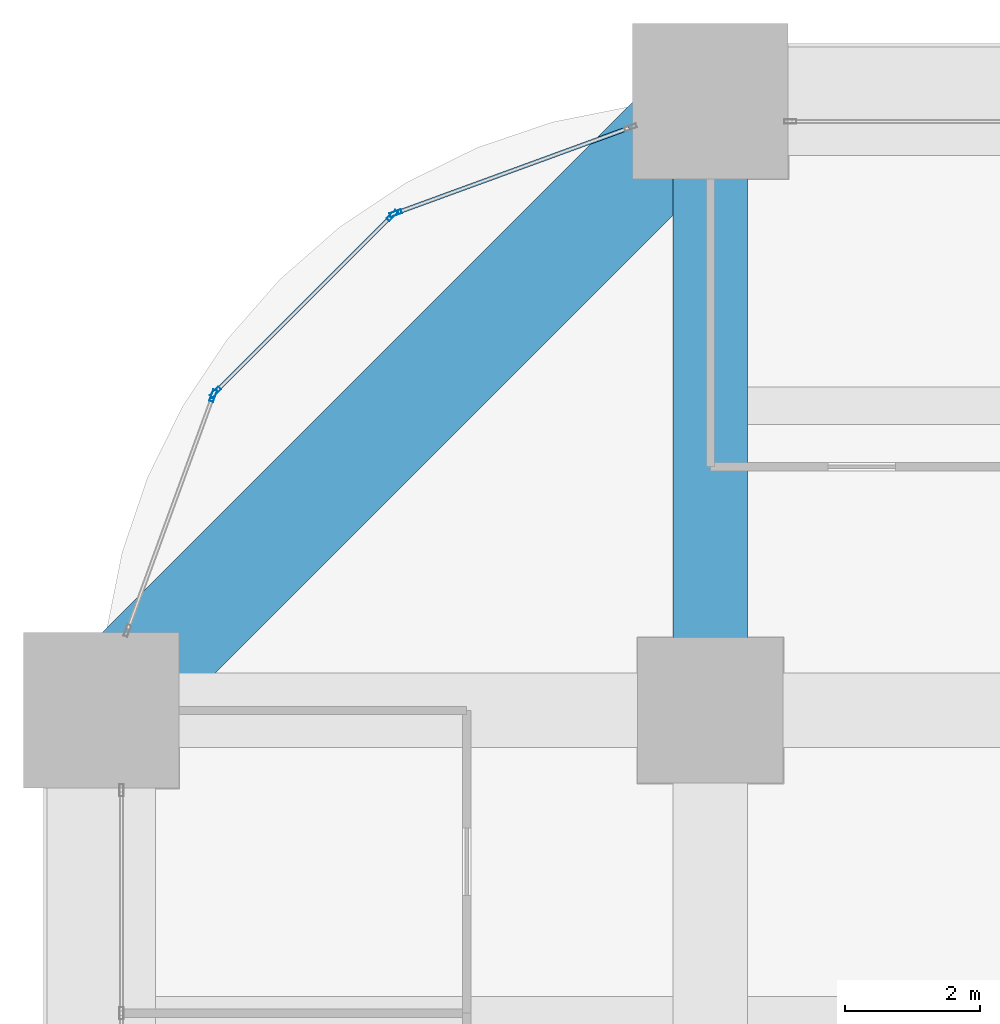
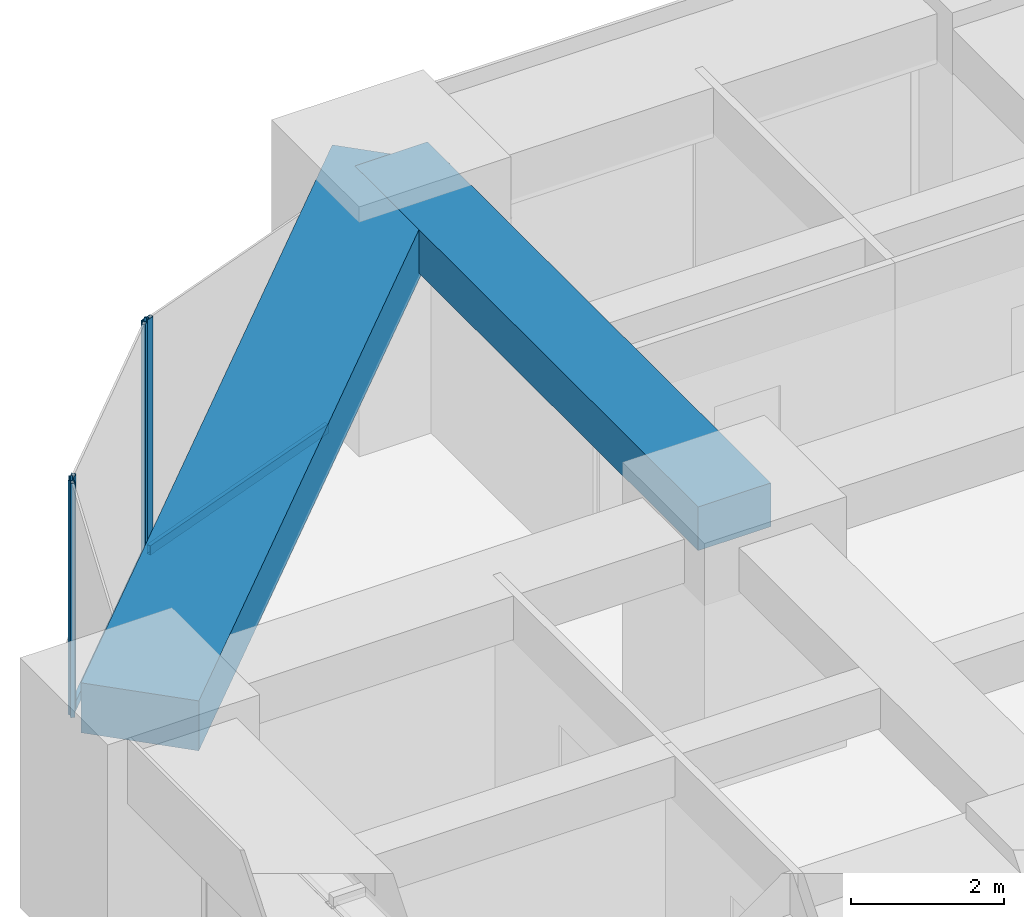
# One storey, part 27 of 45: 6 members, 2 beams, 3 elements without a shape of their own.
"""IFC4 building model written with IfcOpenShell, lengths in metres."""

from ifc_helpers import new_model, si_unit, direction, frame, origin, origin_2d, place, context, subcontext, project, spatial, rectangle, hollow_rectangle, extrude, material, material_profile, profile_set, type_object, element, aggregate, save


model = new_model("IFC4")

# Units and contexts
model_context = context("Model", 3, precision=1e-05, world=origin(), true_north=direction((0.0, 1.0)))
body_context = subcontext(model_context, "Body", "Model", "MODEL_VIEW")
ifc_project = project(units=[si_unit("LENGTHUNIT", "METRE"), si_unit("AREAUNIT", "SQUARE_METRE"), si_unit("VOLUMEUNIT", "CUBIC_METRE"), si_unit("PLANEANGLEUNIT", "RADIAN"), si_unit("MASSUNIT", "GRAM", prefix="KILO")], contexts=[model_context])

# Site, building, storey
site_placement = place(None, origin())
site = spatial("IfcSite", under=ifc_project, at=site_placement, CompositionType="ELEMENT")
building_placement = place(site_placement, origin())
building = spatial("IfcBuilding", under=site, at=building_placement, Name="Zorevar Civic Tower", CompositionType="ELEMENT")
storey_placement = place(building_placement, frame((0.0, 0.0, 71.800048828125)))
storey = spatial("IfcBuildingStorey", under=building, at=storey_placement, Name="L17", CompositionType="ELEMENT", Elevation=71.800048828125)

# Beam
ifc_material_1 = material(Name="Concrete C50/60", Category="concrete")
ifc_material_profile_1 = material_profile(ifc_material_1, rectangle(XDim=1.10009765625, YDim=0.699951171875, at=origin_2d()), Name="RC 1100x700")
ifc_profile_set_1 = profile_set([ifc_material_profile_1], Name="Concrete C50/60")
beam_type_1 = type_object("IfcBeamType", Name="Beam RC 1100x700", PredefinedType="BEAM", material=ifc_profile_set_1)
beam_1_placement = place(storey_placement, frame((9.0, 45.0, 3.39990234375), z_axis=(0.0, 1.0, 0.0), x_axis=(-1.0, 0.0, 0.0)))
element("IfcBeam", 1, at=beam_1_placement, inside=storey, type_object=beam_type_1, Name="Girder L18", PredefinedType="BEAM", context=body_context, shape_type="SweptSolid", body=[
    extrude(rectangle(XDim=1.10009765625, YDim=0.699951171875, at=origin_2d()), origin(), (0.0, 0.0, 1.0), 9.0),
])

# Curtain wall, member
ifc_material_2 = material(Name="Dark grey solar-control glass in black aluminium frame", Category="aluminium")
curtain_wall_type = type_object("IfcCurtainWallType", Name="Curtain wall CW2 low zone", PredefinedType="NOTDEFINED", material=ifc_material_2)
curtain_wall_1_placement = place(storey_placement, origin())
curtain_wall_1 = element("IfcCurtainWall", 2, at=curtain_wall_1_placement, inside=storey, type_object=curtain_wall_type, Name="CW2 L17", PredefinedType="NOTDEFINED")
ifc_material_3 = material(Name="Aluminium, black anodised", Category="aluminium")
ifc_material_profile_2 = material_profile(ifc_material_3, hollow_rectangle(XDim=0.06005859375, YDim=0.179931640625, WallThickness=0.00390625, at=origin_2d()), Name="AL 180x60x4")
ifc_profile_set_2 = profile_set([ifc_material_profile_2], Name="Aluminium, black anodised")
member_type_1 = type_object("IfcMemberType", Name="CW2 mullion AL 180x60x4", PredefinedType="MULLION", material=ifc_profile_set_2)
member_1_placement = place(storey_placement, frame((4.349609375, 52.34521484375, 0.0), z_axis=(0.0, 0.0, 1.0), x_axis=(0.343060400701, -0.939313345732, 0.0)))
member_1 = element("IfcMember", 3, at=member_1_placement, type_object=member_type_1, Name="CW2 mullion 2", PredefinedType="MULLION", context=body_context, shape_type="SweptSolid", body=[
    extrude(hollow_rectangle(XDim=0.06005859375, YDim=0.179931640625, WallThickness=0.00390625, at=origin_2d()), origin(), (0.0, 0.0, 1.0), 3.75),
])

# Curtain wall, members
curtain_wall_2_placement = place(storey_placement, origin())
curtain_wall_2 = element("IfcCurtainWall", 4, at=curtain_wall_2_placement, inside=storey, type_object=curtain_wall_type, Name="CW2 L17", PredefinedType="NOTDEFINED")
member_2_placement = place(storey_placement, frame((4.30029296875, 52.313720703125, 0.0), z_axis=(0.0, 0.0, 1.0), x_axis=(0.707106781187, -0.707106781187, 0.0)))
member_2 = element("IfcMember", 5, at=member_2_placement, type_object=member_type_1, Name="CW2 mullion 1", PredefinedType="MULLION", context=body_context, shape_type="SweptSolid", body=[
    extrude(hollow_rectangle(XDim=0.06005859375, YDim=0.179931640625, WallThickness=0.00390625, at=origin_2d()), origin(), (0.0, 0.0, 1.0), 3.75),
])
member_3_placement = place(storey_placement, frame((1.686279296875, 49.69970703125, 0.0), z_axis=(0.0, 0.0, 1.0), x_axis=(0.707106781187, -0.707106781187, 0.0)))
member_3 = element("IfcMember", 6, at=member_3_placement, type_object=member_type_1, Name="CW2 mullion 2", PredefinedType="MULLION", context=body_context, shape_type="SweptSolid", body=[
    extrude(hollow_rectangle(XDim=0.06005859375, YDim=0.179931640625, WallThickness=0.00390625, at=origin_2d()), origin(), (0.0, 0.0, 1.0), 3.75),
])

# Curtain wall, member
curtain_wall_3_placement = place(storey_placement, origin())
curtain_wall_3 = element("IfcCurtainWall", 7, at=curtain_wall_3_placement, inside=storey, type_object=curtain_wall_type, Name="CW2 L17", PredefinedType="NOTDEFINED")
member_4_placement = place(storey_placement, frame((1.65478515625, 49.650390625, 0.0), z_axis=(0.0, 0.0, 1.0), x_axis=(0.939313345732, -0.343060400701, 0.0)))
member_4 = element("IfcMember", 8, at=member_4_placement, type_object=member_type_1, Name="CW2 mullion 1", PredefinedType="MULLION", context=body_context, shape_type="SweptSolid", body=[
    extrude(hollow_rectangle(XDim=0.06005859375, YDim=0.179931640625, WallThickness=0.00390625, at=origin_2d()), origin(), (0.0, 0.0, 1.0), 3.75),
])
aggregate(curtain_wall_3, [member_4])

# Member
ifc_material_4 = material(Name="Aluminium, black anodised", Category="aluminium")
ifc_material_profile_3 = material_profile(ifc_material_4, hollow_rectangle(XDim=0.06005859375, YDim=0.14990234375, WallThickness=0.00390625, at=origin_2d()), Name="AL 150x60x4")
ifc_profile_set_3 = profile_set([ifc_material_profile_3], Name="Aluminium, black anodised")
member_type_2 = type_object("IfcMemberType", Name="CW2 transom AL 150x60x4", PredefinedType="USERDEFINED", material=ifc_profile_set_3)
member_5_placement = place(storey_placement, frame((7.793701171875, 53.60302734375, 0.030029296875), z_axis=(-0.939318180432, -0.343047162808, 0.0), x_axis=(0.343047162808, -0.939318180432, 0.0)))
member_5 = element("IfcMember", 9, at=member_5_placement, type_object=member_type_2, Name="CW2 sill transom", ObjectType="TRANSOM", PredefinedType="USERDEFINED", context=body_context, shape_type="SweptSolid", body=[
    extrude(hollow_rectangle(XDim=0.06005859375, YDim=0.14990234375, WallThickness=0.00390625, at=origin_2d()), origin(), (0.0, 0.0, 1.0), 3.63671875),
])

aggregate(curtain_wall_1, [member_1, member_5])

member_6_placement = place(storey_placement, frame((4.279052734375, 52.29248046875, 0.030029296875), z_axis=(-0.707106781187, -0.707106781187, 0.0), x_axis=(0.707106781187, -0.707106781187, 0.0)))
member_6 = element("IfcMember", 10, at=member_6_placement, type_object=member_type_2, Name="CW2 sill transom", ObjectType="TRANSOM", PredefinedType="USERDEFINED", context=body_context, shape_type="SweptSolid", body=[
    extrude(hollow_rectangle(XDim=0.06005859375, YDim=0.14990234375, WallThickness=0.00390625, at=origin_2d()), origin(), (0.0, 0.0, 1.0), 3.63671875),
])

aggregate(curtain_wall_2, [member_2, member_3, member_6])

# Beam
ifc_material_5 = material(Name="Concrete C50/60", Category="concrete")
ifc_material_profile_4 = material_profile(ifc_material_5, rectangle(XDim=1.60009765625, YDim=0.800048828125, at=origin_2d()), Name="RC 1600x800")
ifc_profile_set_4 = profile_set([ifc_material_profile_4], Name="Concrete C50/60")
beam_type_2 = type_object("IfcBeamType", Name="Edge beam RC 1600x800", PredefinedType="SPANDREL", material=ifc_profile_set_4)
beam_2_placement = place(storey_placement, frame((9.0, 54.0, 3.349853515625), z_axis=(-0.707106781187, -0.707106781187, 0.0), x_axis=(0.707106781187, -0.707106781187, 0.0)))
element("IfcBeam", 11, at=beam_2_placement, inside=storey, type_object=beam_type_2, Name="Corner edge beam L18", PredefinedType="SPANDREL", context=body_context, shape_type="SweptSolid", body=[
    extrude(rectangle(XDim=1.60009765625, YDim=0.800048828125, at=origin_2d()), origin(), (0.0, 0.0, 1.0), 12.72802734375),
])

save(model, "model.ifc")
